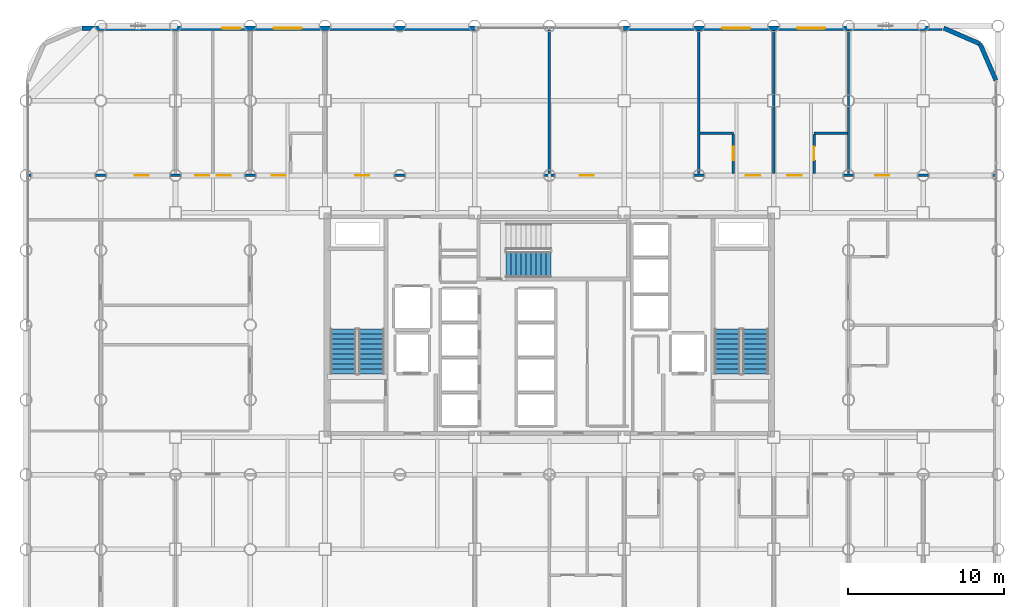
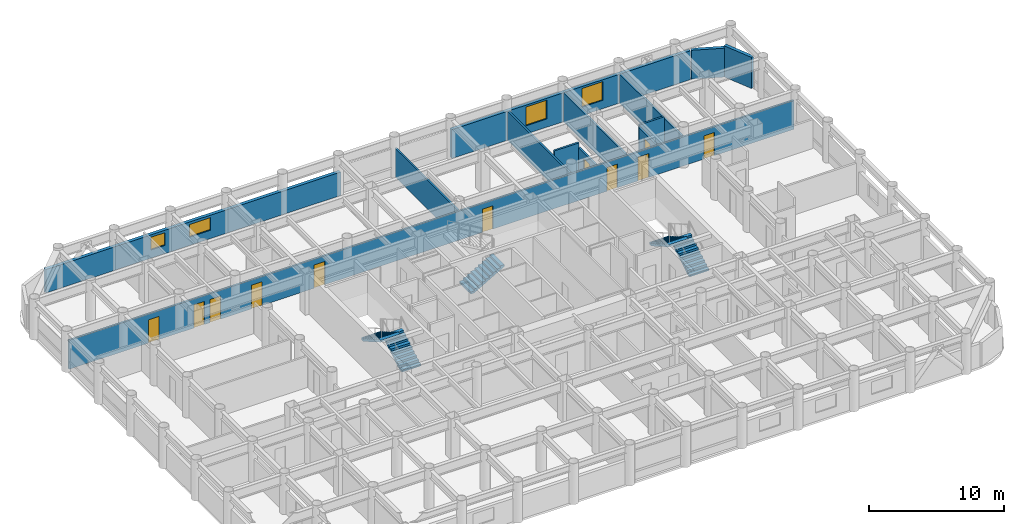
# One storey, part 19 of 21: 13 walls, 11 doors, 5 stair flights, 4 windows, 15 openings, 3 elements without a shape of their own.
"""IFC4 building model written with IfcOpenShell, lengths in metres."""

from ifc_helpers import new_model, si_unit, direction, frame, frame_2d, origin, place, context, subcontext, project, spatial, polyline, rectangle, outline, extrude, material, layer, layer_set, type_object, element, fill, aggregate, save


model = new_model("IFC4")

# Units and contexts
model_context = context("Model", 3, precision=1e-05, world=origin(), true_north=direction((0.0, 1.0)))
body_context = subcontext(model_context, "Body", "Model", "MODEL_VIEW")
ifc_project = project(units=[si_unit("LENGTHUNIT", "METRE"), si_unit("AREAUNIT", "SQUARE_METRE"), si_unit("VOLUMEUNIT", "CUBIC_METRE"), si_unit("PLANEANGLEUNIT", "RADIAN"), si_unit("MASSUNIT", "GRAM", prefix="KILO")], contexts=[model_context])

# Site, building, storey
site_placement = place(None, origin())
site = spatial("IfcSite", under=ifc_project, at=site_placement, CompositionType="ELEMENT")
building_placement = place(site_placement, origin())
building = spatial("IfcBuilding", under=site, at=building_placement, Name="Kallvorn Hotel Tower", CompositionType="ELEMENT")
storey_placement = place(building_placement, frame((0.0, 0.0, 41.10009765625)))
storey = spatial("IfcBuildingStorey", under=building, at=storey_placement, Name="L08", CompositionType="ELEMENT", Elevation=41.10009765625)

# Wall, openings, doors
ifc_material_1 = material(Name="Fire-rated double-layer acoustic gypsum drywall EI 60")
ifc_layer_1 = layer(ifc_material_1, 0.159912109375)
ifc_layer_set_1 = layer_set([ifc_layer_1], Name="WL_DEMISE_160")
wall_type_1 = type_object("IfcWallType", Name="WL_DEMISE_160", PredefinedType="PARTITIONING", material=ifc_layer_set_1)
wall_1_placement = place(storey_placement, frame((-33.429931640625, 9.60009765625, 0.0), z_axis=(0.0, 0.0, 1.0), x_axis=(1.0, 0.0, 0.0)))
wall_1 = element("IfcWall", 1, at=wall_1_placement, inside=storey, type_object=wall_type_1, Name="L08 Suite 807 Standard Twin Room Partition", PredefinedType="PARTITIONING", context=body_context, shape_type="SweptSolid", body=[
    extrude(rectangle(XDim=62.059814453125, YDim=0.159912109375, at=frame_2d((31.02978515625, 0.0))), origin(), (0.0, 0.0, 1.0), 2.619873046875),
])
opening_1_placement = place(wall_1_placement, frame((6.799560546875, 0.0, 0.0)))
opening_1 = element("IfcOpeningElement", 2, at=opening_1_placement, cuts=wall_1, Name="Opening SVD1", PredefinedType="OPENING", context=body_context, shape_type="SweptSolid", body=[
    extrude(rectangle(XDim=0.89990234375, YDim=2.10009765625, at=frame_2d((0.449951171875, 1.050048828125))), frame((0.0, 0.094970703125, 0.0), z_axis=(0.0, -1.0, 0.0), x_axis=(1.0, 0.0, 0.0)), (0.0, 0.0, 1.0), 0.18994140625),
])
opening_2_placement = place(wall_1_placement, frame((54.360595703125, 0.0, 0.0)))
opening_2 = element("IfcOpeningElement", 3, at=opening_2_placement, cuts=wall_1, Name="Opening SVD1", PredefinedType="OPENING", context=body_context, shape_type="SweptSolid", body=[
    extrude(rectangle(XDim=0.89990234375, YDim=2.10009765625, at=frame_2d((0.449951171875, 1.050048828125))), frame((0.0, 0.094970703125, 0.0), z_axis=(0.0, -1.0, 0.0), x_axis=(1.0, 0.0, 0.0)), (0.0, 0.0, 1.0), 0.18994140625),
])
opening_3_placement = place(wall_1_placement, frame((10.68994140625, 0.0, 0.0)))
opening_3 = element("IfcOpeningElement", 4, at=opening_3_placement, cuts=wall_1, Name="Opening SVD1", PredefinedType="OPENING", context=body_context, shape_type="SweptSolid", body=[
    extrude(rectangle(XDim=0.89990234375, YDim=2.10009765625, at=frame_2d((0.449951171875, 1.050048828125))), frame((0.0, 0.094970703125, 0.0), z_axis=(0.0, -1.0, 0.0), x_axis=(1.0, 0.0, 0.0)), (0.0, 0.0, 1.0), 0.18994140625),
])
opening_4_placement = place(wall_1_placement, frame((12.070068359375, 0.0, 0.0)))
opening_4 = element("IfcOpeningElement", 5, at=opening_4_placement, cuts=wall_1, Name="Opening SVD1", PredefinedType="OPENING", context=body_context, shape_type="SweptSolid", body=[
    extrude(rectangle(XDim=0.89990234375, YDim=2.10009765625, at=frame_2d((0.449951171875, 1.050048828125))), frame((0.0, 0.094970703125, 0.0), z_axis=(0.0, -1.0, 0.0), x_axis=(1.0, 0.0, 0.0)), (0.0, 0.0, 1.0), 0.18994140625),
])
opening_5_placement = place(wall_1_placement, frame((15.60009765625, 0.0, 0.0)))
opening_5 = element("IfcOpeningElement", 6, at=opening_5_placement, cuts=wall_1, Name="Opening GD1", PredefinedType="OPENING", context=body_context, shape_type="SweptSolid", body=[
    extrude(rectangle(XDim=0.919921875, YDim=2.14990234375, at=frame_2d((0.4599609375, 1.074951171875))), frame((0.0, 0.094970703125, 0.0), z_axis=(0.0, -1.0, 0.0), x_axis=(1.0, 0.0, 0.0)), (0.0, 0.0, 1.0), 0.18994140625),
])
opening_6_placement = place(wall_1_placement, frame((20.97998046875, 0.0, 0.0)))
opening_6 = element("IfcOpeningElement", 7, at=opening_6_placement, cuts=wall_1, Name="Opening SVD1", PredefinedType="OPENING", context=body_context, shape_type="SweptSolid", body=[
    extrude(rectangle(XDim=0.89990234375, YDim=2.10009765625, at=frame_2d((0.449951171875, 1.050048828125))), frame((0.0, 0.094970703125, 0.0), z_axis=(0.0, -1.0, 0.0), x_axis=(1.0, 0.0, 0.0)), (0.0, 0.0, 1.0), 0.18994140625),
])
opening_7_placement = place(wall_1_placement, frame((35.3798828125, 0.0, 0.0)))
opening_7 = element("IfcOpeningElement", 8, at=opening_7_placement, cuts=wall_1, Name="Opening SVD1", PredefinedType="OPENING", context=body_context, shape_type="SweptSolid", body=[
    extrude(rectangle(XDim=0.89990234375, YDim=2.10009765625, at=frame_2d((0.449951171875, 1.050048828125))), frame((0.0, 0.094970703125, 0.0), z_axis=(0.0, -1.0, 0.0), x_axis=(1.0, 0.0, 0.0)), (0.0, 0.0, 1.0), 0.18994140625),
])
opening_8_placement = place(wall_1_placement, frame((46.034912109375, 0.0, 0.0)))
opening_8 = element("IfcOpeningElement", 9, at=opening_8_placement, cuts=wall_1, Name="Opening GD1", PredefinedType="OPENING", context=body_context, shape_type="SweptSolid", body=[
    extrude(rectangle(XDim=0.919921875, YDim=2.14990234375, at=frame_2d((0.4599609375, 1.074951171875))), frame((0.0, 0.094970703125, 0.0), z_axis=(0.0, -1.0, 0.0), x_axis=(1.0, 0.0, 0.0)), (0.0, 0.0, 1.0), 0.18994140625),
])
opening_9_placement = place(wall_1_placement, frame((48.705078125, 0.0, 0.0)))
opening_9 = element("IfcOpeningElement", 10, at=opening_9_placement, cuts=wall_1, Name="Opening GD1", PredefinedType="OPENING", context=body_context, shape_type="SweptSolid", body=[
    extrude(rectangle(XDim=0.919921875, YDim=2.14990234375, at=frame_2d((0.4599609375, 1.074951171875))), frame((0.0, 0.094970703125, 0.0), z_axis=(0.0, -1.0, 0.0), x_axis=(1.0, 0.0, 0.0)), (0.0, 0.0, 1.0), 0.18994140625),
])
ifc_material_2 = material(Name="Solid-core walnut veneer fire-rated timber door leaf", Category="wood")
door_type_1 = type_object("IfcDoorType", Name="DR_GUEST_920x2150", OperationType="NOTDEFINED", PredefinedType="DOOR", material=ifc_material_2)
door_1_placement = place(opening_5_placement, origin())
door_1 = element("IfcDoor", 11, at=door_1_placement, inside=storey, type_object=door_type_1, Name="L08 Suite 807 Standard Twin Room Door", OperationType="SINGLE_SWING_LEFT", OverallHeight=2.14990234375, OverallWidth=0.919921875, PredefinedType="DOOR", context=body_context, shape_type="SweptSolid", body=[
    extrude(rectangle(XDim=0.919921875, YDim=2.14990234375, at=frame_2d((0.4599609375, 1.074951171875))), frame((0.0, 0.02490234375, 0.0), z_axis=(0.0, -1.0, 0.0), x_axis=(1.0, 0.0, 0.0)), (0.0, 0.0, 1.0), 0.050048828125),
])
fill(opening_5, door_1)
door_2_placement = place(opening_8_placement, origin())
door_2 = element("IfcDoor", 12, at=door_2_placement, inside=storey, type_object=door_type_1, Name="L08 Suite 808 Standard King Room Door", OperationType="SINGLE_SWING_RIGHT", OverallHeight=2.14990234375, OverallWidth=0.919921875, PredefinedType="DOOR", context=body_context, shape_type="SweptSolid", body=[
    extrude(rectangle(XDim=0.919921875, YDim=2.14990234375, at=frame_2d((0.4599609375, 1.074951171875))), frame((0.0, 0.02490234375, 0.0), z_axis=(0.0, -1.0, 0.0), x_axis=(1.0, 0.0, 0.0)), (0.0, 0.0, 1.0), 0.050048828125),
])
fill(opening_8, door_2)
door_3_placement = place(opening_9_placement, origin())
door_3 = element("IfcDoor", 13, at=door_3_placement, inside=storey, type_object=door_type_1, Name="L08 Suite 809 Standard King Room Door", OperationType="SINGLE_SWING_LEFT", OverallHeight=2.14990234375, OverallWidth=0.919921875, PredefinedType="DOOR", context=body_context, shape_type="SweptSolid", body=[
    extrude(rectangle(XDim=0.919921875, YDim=2.14990234375, at=frame_2d((0.4599609375, 1.074951171875))), frame((0.0, 0.02490234375, 0.0), z_axis=(0.0, -1.0, 0.0), x_axis=(1.0, 0.0, 0.0)), (0.0, 0.0, 1.0), 0.050048828125),
])
fill(opening_9, door_3)
ifc_material_3 = material(Name="Galvanised painted steel fire-rated door assembly", Category="steel")
door_type_2 = type_object("IfcDoorType", Name="DR_SERV_900x2100", OperationType="NOTDEFINED", PredefinedType="DOOR", material=ifc_material_3)
door_4_placement = place(opening_1_placement, origin())
door_4 = element("IfcDoor", 14, at=door_4_placement, inside=storey, type_object=door_type_2, Name="L08 L08 North-West Fitness Gymnasium Door", OperationType="SINGLE_SWING_LEFT", OverallHeight=2.10009765625, OverallWidth=0.89990234375, PredefinedType="DOOR", context=body_context, shape_type="SweptSolid", body=[
    extrude(rectangle(XDim=0.89990234375, YDim=2.10009765625, at=frame_2d((0.449951171875, 1.050048828125))), frame((0.0, 0.02490234375, 0.0), z_axis=(0.0, -1.0, 0.0), x_axis=(1.0, 0.0, 0.0)), (0.0, 0.0, 1.0), 0.050048828125),
])
fill(opening_1, door_4)
door_5_placement = place(opening_2_placement, origin())
door_5 = element("IfcDoor", 15, at=door_5_placement, inside=storey, type_object=door_type_2, Name="L08 L08 North-East Reading Club Door", OperationType="SINGLE_SWING_LEFT", OverallHeight=2.10009765625, OverallWidth=0.89990234375, PredefinedType="DOOR", context=body_context, shape_type="SweptSolid", body=[
    extrude(rectangle(XDim=0.89990234375, YDim=2.10009765625, at=frame_2d((0.449951171875, 1.050048828125))), frame((0.0, 0.02490234375, 0.0), z_axis=(0.0, -1.0, 0.0), x_axis=(1.0, 0.0, 0.0)), (0.0, 0.0, 1.0), 0.050048828125),
])
fill(opening_2, door_5)
door_6_placement = place(opening_3_placement, origin())
door_6 = element("IfcDoor", 16, at=door_6_placement, inside=storey, type_object=door_type_2, Name="L08 Housekeeping and Linen Room Door", OperationType="SINGLE_SWING_RIGHT", OverallHeight=2.10009765625, OverallWidth=0.89990234375, PredefinedType="DOOR", context=body_context, shape_type="SweptSolid", body=[
    extrude(rectangle(XDim=0.89990234375, YDim=2.10009765625, at=frame_2d((0.449951171875, 1.050048828125))), frame((0.0, 0.02490234375, 0.0), z_axis=(0.0, -1.0, 0.0), x_axis=(1.0, 0.0, 0.0)), (0.0, 0.0, 1.0), 0.050048828125),
])
fill(opening_3, door_6)
door_7_placement = place(opening_4_placement, origin())
door_7 = element("IfcDoor", 17, at=door_7_placement, inside=storey, type_object=door_type_2, Name="L08 Guest Tea and Refreshment Bar Door", OperationType="SINGLE_SWING_RIGHT", OverallHeight=2.10009765625, OverallWidth=0.89990234375, PredefinedType="DOOR", context=body_context, shape_type="SweptSolid", body=[
    extrude(rectangle(XDim=0.89990234375, YDim=2.10009765625, at=frame_2d((0.449951171875, 1.050048828125))), frame((0.0, 0.02490234375, 0.0), z_axis=(0.0, -1.0, 0.0), x_axis=(1.0, 0.0, 0.0)), (0.0, 0.0, 1.0), 0.050048828125),
])
fill(opening_4, door_7)
door_8_placement = place(opening_6_placement, origin())
door_8 = element("IfcDoor", 18, at=door_8_placement, inside=storey, type_object=door_type_2, Name="L08 L08 Altitude Wellness Fitness Gymnasium 3 Door", OperationType="SINGLE_SWING_RIGHT", OverallHeight=2.10009765625, OverallWidth=0.89990234375, PredefinedType="DOOR", context=body_context, shape_type="SweptSolid", body=[
    extrude(rectangle(XDim=0.89990234375, YDim=2.10009765625, at=frame_2d((0.449951171875, 1.050048828125))), frame((0.0, 0.02490234375, 0.0), z_axis=(0.0, -1.0, 0.0), x_axis=(1.0, 0.0, 0.0)), (0.0, 0.0, 1.0), 0.050048828125),
])
fill(opening_6, door_8)
door_9_placement = place(opening_7_placement, origin())
door_9 = element("IfcDoor", 19, at=door_9_placement, inside=storey, type_object=door_type_2, Name="L08 L08 Curated Emerald Craft Retail Boutique 4 Door", OperationType="SINGLE_SWING_LEFT", OverallHeight=2.10009765625, OverallWidth=0.89990234375, PredefinedType="DOOR", context=body_context, shape_type="SweptSolid", body=[
    extrude(rectangle(XDim=0.89990234375, YDim=2.10009765625, at=frame_2d((0.449951171875, 1.050048828125))), frame((0.0, 0.02490234375, 0.0), z_axis=(0.0, -1.0, 0.0), x_axis=(1.0, 0.0, 0.0)), (0.0, 0.0, 1.0), 0.050048828125),
])
fill(opening_7, door_9)

# Walls
wall_2_placement = place(storey_placement, frame((9.679931640625, 12.320068359375, 0.0), z_axis=(0.0, 0.0, 1.0), x_axis=(1.0, 0.0, 0.0)))
element("IfcWall", 20, at=wall_2_placement, inside=storey, type_object=wall_type_1, Name="L08 Suite 808 Standard King Room Partition", PredefinedType="PARTITIONING", context=body_context, shape_type="SweptSolid", body=[
    extrude(rectangle(XDim=2.130126953125, YDim=0.159912109375, at=frame_2d((1.06494140625, 0.0))), origin(), (0.0, 0.0, 1.0), 3.02001953125),
])
wall_3_placement = place(storey_placement, frame((16.989990234375, 12.320068359375, 0.0), z_axis=(0.0, 0.0, 1.0), x_axis=(1.0, 0.0, 0.0)))
element("IfcWall", 21, at=wall_3_placement, inside=storey, type_object=wall_type_1, Name="L08 Suite 809 Standard King Room Partition", PredefinedType="PARTITIONING", context=body_context, shape_type="SweptSolid", body=[
    extrude(rectangle(XDim=2.130126953125, YDim=0.159912109375, at=frame_2d((1.06494140625, 0.0))), origin(), (0.0, 0.0, 1.0), 2.81982421875),
])
wall_4_placement = place(storey_placement, frame((9.60009765625, 9.719970703125, 0.0), z_axis=(0.0, 0.0, 1.0), x_axis=(0.0, 1.0, 0.0)))
element("IfcWall", 22, at=wall_4_placement, inside=storey, type_object=wall_type_1, Name="L08 Suite 808 Standard King Room Partition", PredefinedType="PARTITIONING", context=body_context, shape_type="SweptSolid", body=[
    extrude(rectangle(XDim=9.18994140625, YDim=0.159912109375, at=frame_2d((4.594970703125, 0.0))), origin(), (0.0, 0.0, 1.0), 2.619873046875),
])

# Wall, opening, door
wall_5_placement = place(storey_placement, frame((11.81005859375, 9.719970703125, 0.0), z_axis=(0.0, 0.0, 1.0), x_axis=(0.0, 1.0, 0.0)))
wall_5 = element("IfcWall", 23, at=wall_5_placement, inside=storey, type_object=wall_type_1, Name="L08 Suite 808 Standard King Room Partition", PredefinedType="PARTITIONING", context=body_context, shape_type="SweptSolid", body=[
    extrude(rectangle(XDim=2.51513671875, YDim=0.159912109375, at=frame_2d((1.257568359375, 0.0))), origin(), (0.0, 0.0, 1.0), 2.619873046875),
])
opening_10_placement = place(wall_5_placement, frame((0.8701171875, 0.0, 0.0)))
opening_10 = element("IfcOpeningElement", 24, at=opening_10_placement, cuts=wall_5, Name="Opening BD-I", PredefinedType="OPENING", context=body_context, shape_type="SweptSolid", body=[
    extrude(rectangle(XDim=0.860107421875, YDim=2.10009765625, at=frame_2d((0.43017578125, 1.050048828125))), frame((0.0, 0.094970703125, 0.0), z_axis=(0.0, -1.0, 0.0), x_axis=(1.0, 0.0, 0.0)), (0.0, 0.0, 1.0), 0.18994140625),
])
ifc_material_4 = material(Name="Solid-core walnut veneer fire-rated timber door leaf", Category="wood")
door_type_3 = type_object("IfcDoorType", Name="DR_BATH_860x2100", OperationType="NOTDEFINED", PredefinedType="DOOR", material=ifc_material_4)
door_10_placement = place(opening_10_placement, origin())
door_10 = element("IfcDoor", 25, at=door_10_placement, inside=storey, type_object=door_type_3, Name="L08 Suite 808 En-Suite Bathroom Door", OperationType="SINGLE_SWING_RIGHT", OverallHeight=2.10009765625, OverallWidth=0.860107421875, PredefinedType="DOOR", context=body_context, shape_type="SweptSolid", body=[
    extrude(rectangle(XDim=0.860107421875, YDim=2.10009765625, at=frame_2d((0.43017578125, 1.050048828125))), frame((0.0, 0.02490234375, 0.0), z_axis=(0.0, -1.0, 0.0), x_axis=(1.0, 0.0, 0.0)), (0.0, 0.0, 1.0), 0.050048828125),
])
fill(opening_10, door_10)

# Wall
wall_6_placement = place(storey_placement, frame((14.39990234375, 9.719970703125, 0.0), z_axis=(0.0, 0.0, 1.0), x_axis=(0.0, 1.0, 0.0)))
element("IfcWall", 26, at=wall_6_placement, inside=storey, type_object=wall_type_1, Name="L08 Suite 808 Standard King Room Partition", PredefinedType="PARTITIONING", context=body_context, shape_type="SweptSolid", body=[
    extrude(rectangle(XDim=9.18994140625, YDim=0.159912109375, at=frame_2d((4.594970703125, 0.0))), origin(), (0.0, 0.0, 1.0), 2.619873046875),
])

# Wall, opening, door
wall_7_placement = place(storey_placement, frame((16.989990234375, 9.719970703125, 0.0), z_axis=(0.0, 0.0, 1.0), x_axis=(0.0, 1.0, 0.0)))
wall_7 = element("IfcWall", 27, at=wall_7_placement, inside=storey, type_object=wall_type_1, Name="L08 Suite 809 Standard King Room Partition", PredefinedType="PARTITIONING", context=body_context, shape_type="SweptSolid", body=[
    extrude(rectangle(XDim=2.51513671875, YDim=0.159912109375, at=frame_2d((1.257568359375, 0.0))), origin(), (0.0, 0.0, 1.0), 2.619873046875),
])
opening_11_placement = place(wall_7_placement, frame((0.8701171875, 0.0, 0.0)))
opening_11 = element("IfcOpeningElement", 28, at=opening_11_placement, cuts=wall_7, Name="Opening BD-I", PredefinedType="OPENING", context=body_context, shape_type="SweptSolid", body=[
    extrude(rectangle(XDim=0.860107421875, YDim=2.10009765625, at=frame_2d((0.43017578125, 1.050048828125))), frame((0.0, 0.094970703125, 0.0), z_axis=(0.0, -1.0, 0.0), x_axis=(1.0, 0.0, 0.0)), (0.0, 0.0, 1.0), 0.18994140625),
])
door_11_placement = place(opening_11_placement, origin())
door_11 = element("IfcDoor", 29, at=door_11_placement, inside=storey, type_object=door_type_3, Name="L08 Suite 809 En-Suite Bathroom Door", OperationType="SINGLE_SWING_RIGHT", OverallHeight=2.10009765625, OverallWidth=0.860107421875, PredefinedType="DOOR", context=body_context, shape_type="SweptSolid", body=[
    extrude(rectangle(XDim=0.860107421875, YDim=2.10009765625, at=frame_2d((0.43017578125, 1.050048828125))), frame((0.0, 0.02490234375, 0.0), z_axis=(0.0, -1.0, 0.0), x_axis=(1.0, 0.0, 0.0)), (0.0, 0.0, 1.0), 0.050048828125),
])
fill(opening_11, door_11)

# Walls
wall_8_placement = place(storey_placement, frame((19.199951171875, 9.719970703125, 0.0), z_axis=(0.0, 0.0, 1.0), x_axis=(0.0, 1.0, 0.0)))
element("IfcWall", 30, at=wall_8_placement, inside=storey, type_object=wall_type_1, Name="L08 Suite 809 Standard King Room Partition", PredefinedType="PARTITIONING", context=body_context, shape_type="SweptSolid", body=[
    extrude(rectangle(XDim=9.18994140625, YDim=0.159912109375, at=frame_2d((4.594970703125, 0.0))), origin(), (0.0, 0.0, 1.0), 2.619873046875),
])
ifc_material_5 = material(Name="Precast basalt-clad insulated concrete wall C40/50", Category="masonry")
ifc_layer_2 = layer(ifc_material_5, 0.280029296875)
ifc_layer_set_2 = layer_set([ifc_layer_2], Name="WL_EXT_LOGGIA_280")
wall_type_2 = type_object("IfcWallType", Name="WL_EXT_LOGGIA_280", PredefinedType="SOLIDWALL", material=ifc_layer_set_2)
wall_9_placement = place(storey_placement, frame((28.657958984375, 15.720703125, 0.0), z_axis=(0.0, 0.0, 1.0), x_axis=(-0.398792985289, 0.917040977756, 0.0)))
element("IfcWall", 31, at=wall_9_placement, inside=storey, type_object=wall_type_2, Name="L08 Rounded Corner Exterior Wall NE1", PredefinedType="SOLIDWALL", context=body_context, shape_type="SweptSolid", body=[
    extrude(rectangle(XDim=2.536376953125, YDim=0.280029296875, at=frame_2d((1.26806640625, 0.0))), origin(), (0.0, 0.0, 1.0), 2.81982421875),
])
wall_10_placement = place(storey_placement, frame((27.646484375, 18.046630859375, 0.0), z_axis=(0.0, 0.0, 1.0), x_axis=(-0.917060872934, 0.398747232384, 0.0)))
element("IfcWall", 32, at=wall_10_placement, inside=storey, type_object=wall_type_2, Name="L08 Rounded Corner Exterior Wall NE2", PredefinedType="SOLIDWALL", context=body_context, shape_type="SweptSolid", body=[
    extrude(rectangle(XDim=2.5361328125, YDim=0.280029296875, at=frame_2d((1.26806640625, 0.0))), origin(), (0.0, 0.0, 1.0), 2.619873046875),
])

# Wall, openings, windows
wall_11_placement = place(storey_placement, frame((-30.0, 19.06005859375, 0.0), z_axis=(0.0, 0.0, 1.0), x_axis=(1.0, 0.0, 0.0)))
wall_11 = element("IfcWall", 33, at=wall_11_placement, inside=storey, type_object=wall_type_2, Name="L08 Exterior Envelope Wall EW-L08-NW", PredefinedType="SOLIDWALL", context=body_context, shape_type="SweptSolid", body=[
    extrude(rectangle(XDim=25.25, YDim=0.280029296875, at=frame_2d((12.625, 0.0))), origin(), (0.0, 0.0, 1.0), 2.119873046875),
])
opening_12_placement = place(wall_11_placement, frame((9.0, 0.0, 0.75)))
opening_12 = element("IfcOpeningElement", 34, at=opening_12_placement, cuts=wall_11, Name="Opening W06A", PredefinedType="OPENING", context=body_context, shape_type="SweptSolid", body=[
    extrude(rectangle(XDim=1.199951171875, YDim=1.14990234375, at=frame_2d((0.60009765625, 0.574951171875))), frame((0.0, 0.155029296875, 0.0), z_axis=(0.0, -1.0, 0.0), x_axis=(1.0, 0.0, 0.0)), (0.0, 0.0, 1.0), 0.31005859375),
])
opening_13_placement = place(wall_11_placement, frame((12.300048828125, 0.0, 0.75)))
opening_13 = element("IfcOpeningElement", 35, at=opening_13_placement, cuts=wall_11, Name="Opening W04A", PredefinedType="OPENING", context=body_context, shape_type="SweptSolid", body=[
    extrude(rectangle(XDim=1.800048828125, YDim=1.14990234375, at=frame_2d((0.89990234375, 0.574951171875))), frame((0.0, 0.155029296875, 0.0), z_axis=(0.0, -1.0, 0.0), x_axis=(1.0, 0.0, 0.0)), (0.0, 0.0, 1.0), 0.31005859375),
])
ifc_material_6 = material(Name="Triple-glazed low-e acoustic solar-control dark glass", Category="glass")
window_type_1 = type_object("IfcWindowType", Name="WN_HTL_1200x1150", PartitioningType="SINGLE_PANEL", PredefinedType="WINDOW", material=ifc_material_6)
window_1_placement = place(opening_12_placement, origin())
window_1 = element("IfcWindow", 36, at=window_1_placement, inside=storey, type_object=window_type_1, Name="L08 Guestroom Exterior Window 06", OverallHeight=1.14990234375, OverallWidth=1.199951171875, PartitioningType="SINGLE_PANEL", PredefinedType="WINDOW", context=body_context, shape_type="SweptSolid", body=[
    extrude(rectangle(XDim=1.199951171875, YDim=1.14990234375, at=frame_2d((0.60009765625, 0.574951171875))), frame((0.0, 0.030029296875, 0.0), z_axis=(0.0, -1.0, 0.0), x_axis=(1.0, 0.0, 0.0)), (0.0, 0.0, 1.0), 0.06005859375),
])
fill(opening_12, window_1)
ifc_material_7 = material(Name="Double-glazed low-e solar-control dark glass", Category="glass")
window_type_2 = type_object("IfcWindowType", Name="WN_HTL_1800x1150", PartitioningType="SINGLE_PANEL", PredefinedType="WINDOW", material=ifc_material_7)
window_2_placement = place(opening_13_placement, origin())
window_2 = element("IfcWindow", 37, at=window_2_placement, inside=storey, type_object=window_type_2, Name="L08 Guestroom Exterior Window 07", OverallHeight=1.14990234375, OverallWidth=1.800048828125, PartitioningType="SINGLE_PANEL", PredefinedType="WINDOW", context=body_context, shape_type="SweptSolid", body=[
    extrude(rectangle(XDim=1.800048828125, YDim=1.14990234375, at=frame_2d((0.89990234375, 0.574951171875))), frame((0.0, 0.030029296875, 0.0), z_axis=(0.0, -1.0, 0.0), x_axis=(1.0, 0.0, 0.0)), (0.0, 0.0, 1.0), 0.06005859375),
])
fill(opening_13, window_2)

wall_12_placement = place(storey_placement, frame((4.75, 19.06005859375, 0.0), z_axis=(0.0, 0.0, 1.0), x_axis=(1.0, 0.0, 0.0)))
wall_12 = element("IfcWall", 38, at=wall_12_placement, inside=storey, type_object=wall_type_2, Name="L08 Exterior Envelope Wall EW-L08-NE", PredefinedType="SOLIDWALL", context=body_context, shape_type="SweptSolid", body=[
    extrude(rectangle(XDim=20.449951171875, YDim=0.280029296875, at=frame_2d((10.22509765625, 0.0))), origin(), (0.0, 0.0, 1.0), 2.619873046875),
])
opening_14_placement = place(wall_12_placement, frame((6.35009765625, 0.0, 0.75)))
opening_14 = element("IfcOpeningElement", 39, at=opening_14_placement, cuts=wall_12, Name="Opening W04", PredefinedType="OPENING", context=body_context, shape_type="SweptSolid", body=[
    extrude(rectangle(XDim=1.800048828125, YDim=1.699951171875, at=frame_2d((0.89990234375, 0.85009765625))), frame((0.0, 0.155029296875, 0.0), z_axis=(0.0, -1.0, 0.0), x_axis=(1.0, 0.0, 0.0)), (0.0, 0.0, 1.0), 0.31005859375),
])
opening_15_placement = place(wall_12_placement, frame((11.14990234375, 0.0, 0.75)))
opening_15 = element("IfcOpeningElement", 40, at=opening_15_placement, cuts=wall_12, Name="Opening W04", PredefinedType="OPENING", context=body_context, shape_type="SweptSolid", body=[
    extrude(rectangle(XDim=1.800048828125, YDim=1.699951171875, at=frame_2d((0.89990234375, 0.85009765625))), frame((0.0, 0.155029296875, 0.0), z_axis=(0.0, -1.0, 0.0), x_axis=(1.0, 0.0, 0.0)), (0.0, 0.0, 1.0), 0.31005859375),
])
ifc_material_8 = material(Name="Double-glazed low-e solar-control dark glass", Category="glass")
window_type_3 = type_object("IfcWindowType", Name="WN_HTL_1800x1700", PartitioningType="SINGLE_PANEL", PredefinedType="WINDOW", material=ifc_material_8)
window_3_placement = place(opening_14_placement, origin())
window_3 = element("IfcWindow", 41, at=window_3_placement, inside=storey, type_object=window_type_3, Name="L08 Guestroom Exterior Window 08", OverallHeight=1.699951171875, OverallWidth=1.800048828125, PartitioningType="SINGLE_PANEL", PredefinedType="WINDOW", context=body_context, shape_type="SweptSolid", body=[
    extrude(rectangle(XDim=1.800048828125, YDim=1.699951171875, at=frame_2d((0.89990234375, 0.85009765625))), frame((0.0, 0.030029296875, 0.0), z_axis=(0.0, -1.0, 0.0), x_axis=(1.0, 0.0, 0.0)), (0.0, 0.0, 1.0), 0.06005859375),
])
fill(opening_14, window_3)
window_4_placement = place(opening_15_placement, origin())
window_4 = element("IfcWindow", 42, at=window_4_placement, inside=storey, type_object=window_type_3, Name="L08 Guestroom Exterior Window 09", OverallHeight=1.699951171875, OverallWidth=1.800048828125, PartitioningType="SINGLE_PANEL", PredefinedType="WINDOW", context=body_context, shape_type="SweptSolid", body=[
    extrude(rectangle(XDim=1.800048828125, YDim=1.699951171875, at=frame_2d((0.89990234375, 0.85009765625))), frame((0.0, 0.030029296875, 0.0), z_axis=(0.0, -1.0, 0.0), x_axis=(1.0, 0.0, 0.0)), (0.0, 0.0, 1.0), 0.06005859375),
])
fill(opening_15, window_4)

# Wall
ifc_material_9 = material(Name="Fire-rated double-layer acoustic gypsum drywall EI 60")
ifc_layer_3 = layer(ifc_material_9, 0.14990234375)
ifc_layer_set_3 = layer_set([ifc_layer_3], Name="WL_PART_150")
wall_type_3 = type_object("IfcWallType", Name="WL_PART_150", PredefinedType="PARTITIONING", material=ifc_layer_set_3)
wall_13_placement = place(storey_placement, frame((0.0, 9.719970703125, 0.0), z_axis=(0.0, 0.0, 1.0), x_axis=(0.0, 1.0, 0.0)))
element("IfcWall", 43, at=wall_13_placement, inside=storey, type_object=wall_type_3, Name="L08 L08 Altitude Wellness Fitness Gymnasium 3 Partition", PredefinedType="PARTITIONING", context=body_context, shape_type="SweptSolid", body=[
    extrude(rectangle(XDim=9.275146484375, YDim=0.14990234375, at=frame_2d((4.6376953125, 0.0))), origin(), (0.0, 0.0, 1.0), 2.619873046875),
])

# Stair, stair flights
ifc_material_10 = material(Name="Precast concrete C40/50", Category="concrete")
stair_type = type_object("IfcStairType", Name="STR_CORE_DOGLEG", PredefinedType="HALF_TURN_STAIR", material=ifc_material_10)
stair_1_placement = place(storey_placement, origin())
stair_1 = element("IfcStair", 44, at=stair_1_placement, inside=storey, type_object=stair_type, Name="L08 Exit stair ST1", PredefinedType="HALF_TURN_STAIR")
ifc_material_11 = material(Name="Precast concrete C40/50", Category="concrete")
stair_flight_type = type_object("IfcStairFlightType", Name="FLT_CORE_1660", PredefinedType="STRAIGHT", material=ifc_material_11)
stair_flight_1_placement = place(storey_placement, frame((-11.429931640625, -3.139892578125, 0.0), z_axis=(0.0, 0.0, 1.0), x_axis=(0.0, 1.0, 0.0)))
stair_flight_1 = element("IfcStairFlight", 45, at=stair_flight_1_placement, type_object=stair_flight_type, Name="ST1 flight 1", NumberOfRisers=10, NumberOfTreads=9, PredefinedType="STRAIGHT", RiserHeight=0.185, TreadLength=0.32, context=body_context, shape_type="SweptSolid", body=[
    extrude(outline(polyline([(0.0, 0.0), (0.0, 0.18505859375), (0.320068359375, 0.18505859375), (0.320068359375, 0.3701171875), (0.639892578125, 0.3701171875), (0.639892578125, 0.554931640625), (0.9599609375, 0.554931640625), (0.9599609375, 0.739990234375), (1.280029296875, 0.739990234375), (1.280029296875, 0.925048828125), (1.60009765625, 0.925048828125), (1.60009765625, 1.110107421875), (1.919921875, 1.110107421875), (1.919921875, 1.294921875), (2.239990234375, 1.294921875), (2.239990234375, 1.47998046875), (2.56005859375, 1.47998046875), (2.56005859375, 1.6650390625), (2.8798828125, 1.6650390625), (2.8798828125, 1.85009765625), (2.8798828125, 1.491943359375), (0.299560546875, 0.0), (0.0, 0.0)])), frame((0.0, 0.830078125, 0.0), z_axis=(0.0, -1.0, 0.0), x_axis=(1.0, 0.0, 0.0)), (0.0, 0.0, 1.0), 1.659912109375),
])
stair_flight_2_placement = place(storey_placement, frame((-13.22998046875, -0.260009765625, 1.849853515625), z_axis=(0.0, 0.0, 1.0), x_axis=(0.0, -1.0, 0.0)))
stair_flight_2 = element("IfcStairFlight", 46, at=stair_flight_2_placement, type_object=stair_flight_type, Name="ST1 flight 2", NumberOfRisers=10, NumberOfTreads=9, PredefinedType="STRAIGHT", RiserHeight=0.185, TreadLength=0.32, context=body_context, shape_type="SweptSolid", body=[
    extrude(outline(polyline([(0.0, 0.0), (0.0, 0.18505859375), (0.320068359375, 0.18505859375), (0.320068359375, 0.3701171875), (0.639892578125, 0.3701171875), (0.639892578125, 0.554931640625), (0.9599609375, 0.554931640625), (0.9599609375, 0.739990234375), (1.280029296875, 0.739990234375), (1.280029296875, 0.925048828125), (1.60009765625, 0.925048828125), (1.60009765625, 1.110107421875), (1.919921875, 1.110107421875), (1.919921875, 1.294921875), (2.239990234375, 1.294921875), (2.239990234375, 1.47998046875), (2.56005859375, 1.47998046875), (2.56005859375, 1.6650390625), (2.8798828125, 1.6650390625), (2.8798828125, 1.85009765625), (2.8798828125, 1.491943359375), (0.299560546875, 0.0), (0.0, 0.0)])), frame((0.0, 0.830078125, 0.0), z_axis=(0.0, -1.0, 0.0), x_axis=(1.0, 0.0, 0.0)), (0.0, 0.0, 1.0), 1.659912109375),
])
aggregate(stair_1, [stair_flight_1, stair_flight_2])

stair_2_placement = place(storey_placement, origin())
stair_2 = element("IfcStair", 47, at=stair_2_placement, inside=storey, type_object=stair_type, Name="L08 Exit stair ST2", PredefinedType="HALF_TURN_STAIR")
stair_flight_3_placement = place(storey_placement, frame((13.22998046875, -3.139892578125, 0.0), z_axis=(0.0, 0.0, 1.0), x_axis=(0.0, 1.0, 0.0)))
stair_flight_3 = element("IfcStairFlight", 48, at=stair_flight_3_placement, type_object=stair_flight_type, Name="ST2 flight 1", NumberOfRisers=10, NumberOfTreads=9, PredefinedType="STRAIGHT", RiserHeight=0.185, TreadLength=0.32, context=body_context, shape_type="SweptSolid", body=[
    extrude(outline(polyline([(0.0, 0.0), (0.0, 0.18505859375), (0.320068359375, 0.18505859375), (0.320068359375, 0.3701171875), (0.639892578125, 0.3701171875), (0.639892578125, 0.554931640625), (0.9599609375, 0.554931640625), (0.9599609375, 0.739990234375), (1.280029296875, 0.739990234375), (1.280029296875, 0.925048828125), (1.60009765625, 0.925048828125), (1.60009765625, 1.110107421875), (1.919921875, 1.110107421875), (1.919921875, 1.294921875), (2.239990234375, 1.294921875), (2.239990234375, 1.47998046875), (2.56005859375, 1.47998046875), (2.56005859375, 1.6650390625), (2.8798828125, 1.6650390625), (2.8798828125, 1.85009765625), (2.8798828125, 1.491943359375), (0.299560546875, 0.0), (0.0, 0.0)])), frame((0.0, 0.830078125, 0.0), z_axis=(0.0, -1.0, 0.0), x_axis=(1.0, 0.0, 0.0)), (0.0, 0.0, 1.0), 1.659912109375),
])
stair_flight_4_placement = place(storey_placement, frame((11.429931640625, -0.260009765625, 1.849853515625), z_axis=(0.0, 0.0, 1.0), x_axis=(0.0, -1.0, 0.0)))
stair_flight_4 = element("IfcStairFlight", 49, at=stair_flight_4_placement, type_object=stair_flight_type, Name="ST2 flight 2", NumberOfRisers=10, NumberOfTreads=9, PredefinedType="STRAIGHT", RiserHeight=0.185, TreadLength=0.32, context=body_context, shape_type="SweptSolid", body=[
    extrude(outline(polyline([(0.0, 0.0), (0.0, 0.18505859375), (0.320068359375, 0.18505859375), (0.320068359375, 0.3701171875), (0.639892578125, 0.3701171875), (0.639892578125, 0.554931640625), (0.9599609375, 0.554931640625), (0.9599609375, 0.739990234375), (1.280029296875, 0.739990234375), (1.280029296875, 0.925048828125), (1.60009765625, 0.925048828125), (1.60009765625, 1.110107421875), (1.919921875, 1.110107421875), (1.919921875, 1.294921875), (2.239990234375, 1.294921875), (2.239990234375, 1.47998046875), (2.56005859375, 1.47998046875), (2.56005859375, 1.6650390625), (2.8798828125, 1.6650390625), (2.8798828125, 1.85009765625), (2.8798828125, 1.491943359375), (0.299560546875, 0.0), (0.0, 0.0)])), frame((0.0, 0.830078125, 0.0), z_axis=(0.0, -1.0, 0.0), x_axis=(1.0, 0.0, 0.0)), (0.0, 0.0, 1.0), 1.659912109375),
])
aggregate(stair_2, [stair_flight_3, stair_flight_4])

# Stair, stair flight
stair_3_placement = place(storey_placement, origin())
stair_3 = element("IfcStair", 50, at=stair_3_placement, inside=storey, type_object=stair_type, Name="L08 Exit stair ST3", PredefinedType="HALF_TURN_STAIR")
stair_flight_5_placement = place(storey_placement, frame((-2.7900390625, 3.8798828125, 0.0), z_axis=(0.0, 0.0, 1.0), x_axis=(1.0, 0.0, 0.0)))
stair_flight_5 = element("IfcStairFlight", 51, at=stair_flight_5_placement, type_object=stair_flight_type, Name="ST3 flight 1", NumberOfRisers=10, NumberOfTreads=9, PredefinedType="STRAIGHT", RiserHeight=0.185, TreadLength=0.32, context=body_context, shape_type="SweptSolid", body=[
    extrude(outline(polyline([(0.0, 0.0), (0.0, 0.18505859375), (0.320068359375, 0.18505859375), (0.320068359375, 0.3701171875), (0.639892578125, 0.3701171875), (0.639892578125, 0.554931640625), (0.9599609375, 0.554931640625), (0.9599609375, 0.739990234375), (1.280029296875, 0.739990234375), (1.280029296875, 0.925048828125), (1.60009765625, 0.925048828125), (1.60009765625, 1.110107421875), (1.919921875, 1.110107421875), (1.919921875, 1.294921875), (2.239990234375, 1.294921875), (2.239990234375, 1.47998046875), (2.56005859375, 1.47998046875), (2.56005859375, 1.6650390625), (2.8798828125, 1.6650390625), (2.8798828125, 1.85009765625), (2.8798828125, 1.491943359375), (0.299560546875, 0.0), (0.0, 0.0)])), frame((0.0, 0.830078125, 0.0), z_axis=(0.0, -1.0, 0.0), x_axis=(1.0, 0.0, 0.0)), (0.0, 0.0, 1.0), 1.659912109375),
])
aggregate(stair_3, [stair_flight_5])

save(model, "model.ifc")
